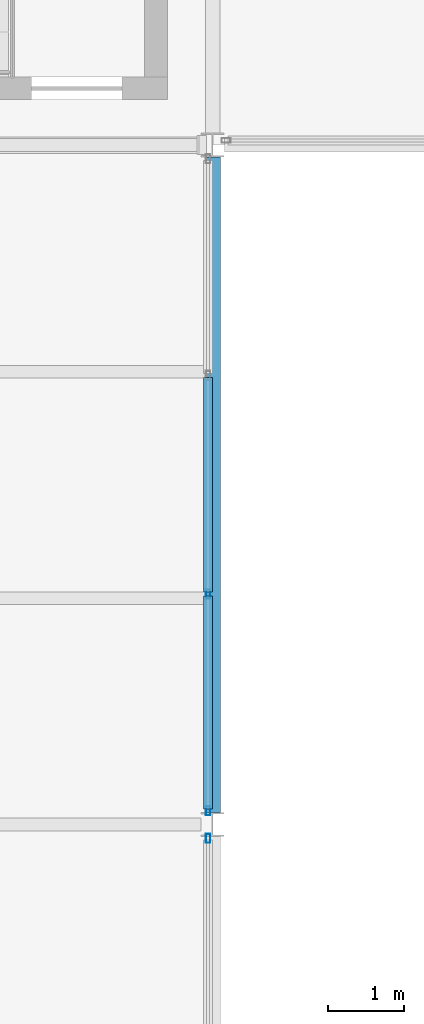
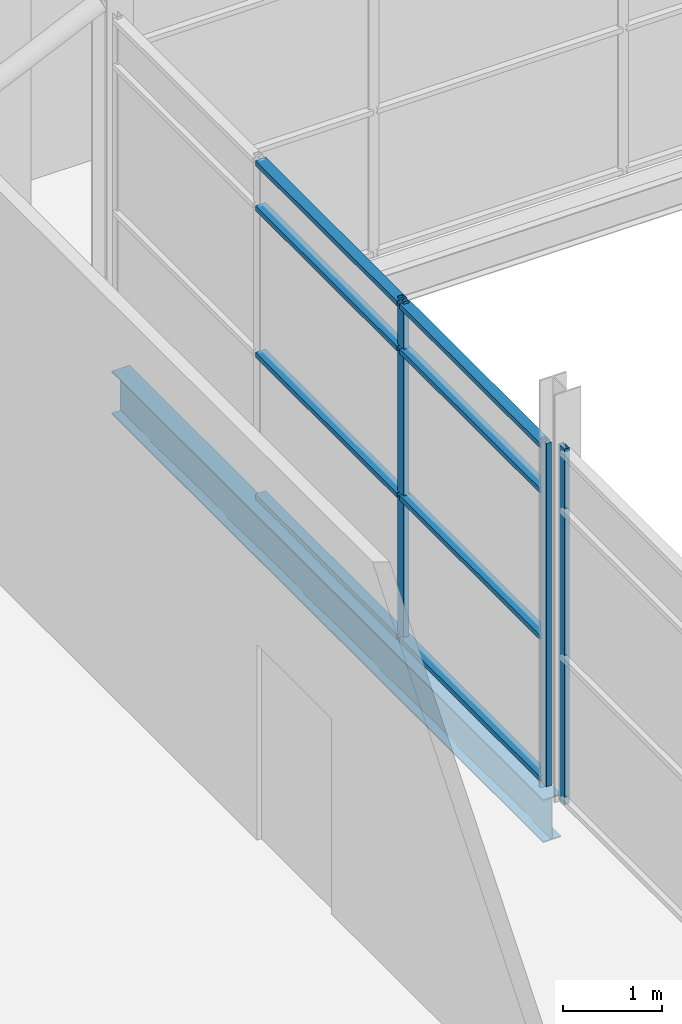
# One storey, part 19 of 61: 11 members, 1 beam, 2 elements without a shape of their own.
"""IFC4 building model written with IfcOpenShell, lengths in metres."""

from ifc_helpers import new_model, si_unit, direction, frame, origin, origin_2d, place, context, subcontext, project, spatial, hollow_rectangle, i_section, extrude, material, layer, layer_set, material_profile, profile_set, type_object, element, aggregate, save


model = new_model("IFC4")

# Units and contexts
model_context = context("Model", 3, precision=1e-05, world=origin(), true_north=direction((0.0, 1.0)))
body_context = subcontext(model_context, "Body", "Model", "MODEL_VIEW")
ifc_project = project(units=[si_unit("LENGTHUNIT", "METRE"), si_unit("AREAUNIT", "SQUARE_METRE"), si_unit("VOLUMEUNIT", "CUBIC_METRE"), si_unit("PLANEANGLEUNIT", "RADIAN"), si_unit("MASSUNIT", "GRAM", prefix="KILO")], contexts=[model_context])

# Site, building, storey
site_placement = place(None, origin())
site = spatial("IfcSite", under=ifc_project, at=site_placement, CompositionType="ELEMENT")
building_placement = place(site_placement, origin())
building = spatial("IfcBuilding", under=site, at=building_placement, Name="Shorebreak Coast Museum", CompositionType="ELEMENT")
storey_placement = place(building_placement, frame((0.0, 0.0, 26.0)))
storey = spatial("IfcBuildingStorey", under=building, at=storey_placement, Name="L04", CompositionType="ELEMENT", Elevation=26.0)

# Beam
ifc_material_1 = material(Name="Steel Grade 300", Category="steel")
ifc_material_profile_1 = material_profile(ifc_material_1, i_section(OverallWidth=0.208984375, OverallDepth=0.5283203125, WebThickness=0.009521484375, FlangeThickness=0.01318359375, FilletRadius=0.013916015625, at=origin_2d()), Name="530UB82.0")
ifc_profile_set_1 = profile_set([ifc_material_profile_1], Name="Steel Grade 300")
beam_type = type_object("IfcBeamType", Name="Floor girder north-south 530UB82.0", PredefinedType="BEAM", material=ifc_profile_set_1)
beam_placement = place(storey_placement, frame((63.0, 72.160400390625, -0.439208984375), z_axis=(0.0, 1.0, 0.0), x_axis=(-1.0, 0.0, 0.0)))
element("IfcBeam", 1, at=beam_placement, inside=storey, type_object=beam_type, Name="Floor girder north-south L04 8J", PredefinedType="BEAM", context=body_context, shape_type="SweptSolid", body=[
    extrude(i_section(OverallWidth=0.208984375, OverallDepth=0.5283203125, WebThickness=0.009521484375, FlangeThickness=0.01318359375, FilletRadius=0.013916015625, at=origin_2d()), origin(), (0.0, 0.0, 1.0), 8.67919921875),
])

# Curtain wall, member
ifc_material_2 = material(Name="Aluminium", Category="aluminium")
ifc_layer = layer(ifc_material_2, 0.1201171875)
ifc_layer_set = layer_set([ifc_layer], Name="Aluminium")
curtain_wall_type = type_object("IfcCurtainWallType", Name="Atrium fire screen", PredefinedType="NOTDEFINED", material=ifc_layer_set)
curtain_wall_1_placement = place(storey_placement, origin())
curtain_wall_1 = element("IfcCurtainWall", 2, at=curtain_wall_1_placement, inside=storey, type_object=curtain_wall_type, Name="Atrium screen L04 W 59", PredefinedType="NOTDEFINED")
ifc_material_3 = material(Name="Aluminium", Category="aluminium")
ifc_material_profile_2 = material_profile(ifc_material_3, hollow_rectangle(XDim=0.06005859375, YDim=0.1201171875, WallThickness=0.00341796875, at=origin_2d()), Name="AL 120x60 RHS")
ifc_profile_set_2 = profile_set([ifc_material_profile_2], Name="Aluminium")
member_type_1 = type_object("IfcMemberType", Name="Screen mullion 50 x 120", PredefinedType="MULLION", material=ifc_profile_set_2)
member_1_placement = place(storey_placement, frame((62.93994140625, 71.817626953125, 0.0), z_axis=(0.0, 0.0, 1.0), x_axis=(-1.0, 0.0, 0.0)))
member_1 = element("IfcMember", 3, at=member_1_placement, type_object=member_type_1, Name="CW6 mullion 4", PredefinedType="MULLION", context=body_context, shape_type="SweptSolid", body=[
    extrude(hollow_rectangle(XDim=0.06005859375, YDim=0.1201171875, WallThickness=0.00341796875, at=origin_2d()), origin(), (0.0, 0.0, 1.0), 4.364501953125),
])
aggregate(curtain_wall_1, [member_1])

# Curtain wall, members
curtain_wall_2_placement = place(storey_placement, origin())
curtain_wall_2 = element("IfcCurtainWall", 4, at=curtain_wall_2_placement, inside=storey, type_object=curtain_wall_type, Name="Atrium screen L04 W 60", PredefinedType="NOTDEFINED")
member_2_placement = place(storey_placement, frame((62.93994140625, 72.182373046875, 0.0), z_axis=(0.0, 0.0, 1.0), x_axis=(-1.0, 0.0, 0.0)))
member_2 = element("IfcMember", 5, at=member_2_placement, type_object=member_type_1, Name="CW4 mullion 1", PredefinedType="MULLION", context=body_context, shape_type="SweptSolid", body=[
    extrude(hollow_rectangle(XDim=0.06005859375, YDim=0.1201171875, WallThickness=0.00341796875, at=origin_2d()), origin(), (0.0, 0.0, 1.0), 4.212890625),
])
member_3_placement = place(storey_placement, frame((62.93994140625, 75.052490234375, 0.0), z_axis=(0.0, 0.0, 1.0), x_axis=(-1.0, 0.0, 0.0)))
member_3 = element("IfcMember", 6, at=member_3_placement, type_object=member_type_1, Name="CW4 mullion 2", PredefinedType="MULLION", context=body_context, shape_type="SweptSolid", body=[
    extrude(hollow_rectangle(XDim=0.06005859375, YDim=0.1201171875, WallThickness=0.00341796875, at=origin_2d()), origin(), (0.0, 0.0, 1.0), 4.212890625),
])
ifc_material_4 = material(Name="Aluminium", Category="aluminium")
ifc_material_profile_3 = material_profile(ifc_material_4, hollow_rectangle(XDim=0.1201171875, YDim=0.06005859375, WallThickness=0.00341796875, at=origin_2d()), Name="AL 60x120 RHS")
ifc_profile_set_3 = profile_set([ifc_material_profile_3], Name="Aluminium")
member_type_2 = type_object("IfcMemberType", Name="Screen transom 120 x 50", PredefinedType="USERDEFINED", material=ifc_profile_set_3)
member_4_placement = place(storey_placement, frame((62.93994140625, 72.207275390625, 0.06005859375), z_axis=(0.0, 1.0, 0.0), x_axis=(-1.0, 0.0, 0.0)))
member_4 = element("IfcMember", 7, at=member_4_placement, type_object=member_type_2, Name="CW4 transom 1.1", ObjectType="TRANSOM", PredefinedType="USERDEFINED", context=body_context, shape_type="SweptSolid", body=[
    extrude(hollow_rectangle(XDim=0.1201171875, YDim=0.06005859375, WallThickness=0.00341796875, at=origin_2d()), origin(), (0.0, 0.0, 1.0), 2.820068359375),
])
member_5_placement = place(storey_placement, frame((62.93994140625, 72.207275390625, 1.800048828125), z_axis=(0.0, 1.0, 0.0), x_axis=(-1.0, 0.0, 0.0)))
member_5 = element("IfcMember", 8, at=member_5_placement, type_object=member_type_2, Name="CW4 transom 1.2", ObjectType="TRANSOM", PredefinedType="USERDEFINED", context=body_context, shape_type="SweptSolid", body=[
    extrude(hollow_rectangle(XDim=0.1201171875, YDim=0.06005859375, WallThickness=0.00341796875, at=origin_2d()), origin(), (0.0, 0.0, 1.0), 2.820068359375),
])
member_6_placement = place(storey_placement, frame((62.93994140625, 72.207275390625, 3.60009765625), z_axis=(0.0, 1.0, 0.0), x_axis=(-1.0, 0.0, 0.0)))
member_6 = element("IfcMember", 9, at=member_6_placement, type_object=member_type_2, Name="CW4 transom 1.3", ObjectType="TRANSOM", PredefinedType="USERDEFINED", context=body_context, shape_type="SweptSolid", body=[
    extrude(hollow_rectangle(XDim=0.1201171875, YDim=0.06005859375, WallThickness=0.00341796875, at=origin_2d()), origin(), (0.0, 0.0, 1.0), 2.820068359375),
])
member_7_placement = place(storey_placement, frame((62.93994140625, 72.207275390625, 4.153076171875), z_axis=(0.0, 1.0, 0.0), x_axis=(-1.0, 0.0, 0.0)))
member_7 = element("IfcMember", 10, at=member_7_placement, type_object=member_type_2, Name="CW4 transom 1.4", ObjectType="TRANSOM", PredefinedType="USERDEFINED", context=body_context, shape_type="SweptSolid", body=[
    extrude(hollow_rectangle(XDim=0.1201171875, YDim=0.06005859375, WallThickness=0.00341796875, at=origin_2d()), origin(), (0.0, 0.0, 1.0), 2.820068359375),
])
member_8_placement = place(storey_placement, frame((62.93994140625, 75.077392578125, 0.06005859375), z_axis=(0.0, 1.0, 0.0), x_axis=(-1.0, 0.0, 0.0)))
member_8 = element("IfcMember", 11, at=member_8_placement, type_object=member_type_2, Name="CW4 transom 2.1", ObjectType="TRANSOM", PredefinedType="USERDEFINED", context=body_context, shape_type="SweptSolid", body=[
    extrude(hollow_rectangle(XDim=0.1201171875, YDim=0.06005859375, WallThickness=0.00341796875, at=origin_2d()), origin(), (0.0, 0.0, 1.0), 2.84521484375),
])
member_9_placement = place(storey_placement, frame((62.93994140625, 75.077392578125, 1.800048828125), z_axis=(0.0, 1.0, 0.0), x_axis=(-1.0, 0.0, 0.0)))
member_9 = element("IfcMember", 12, at=member_9_placement, type_object=member_type_2, Name="CW4 transom 2.2", ObjectType="TRANSOM", PredefinedType="USERDEFINED", context=body_context, shape_type="SweptSolid", body=[
    extrude(hollow_rectangle(XDim=0.1201171875, YDim=0.06005859375, WallThickness=0.00341796875, at=origin_2d()), origin(), (0.0, 0.0, 1.0), 2.84521484375),
])
member_10_placement = place(storey_placement, frame((62.93994140625, 75.077392578125, 3.60009765625), z_axis=(0.0, 1.0, 0.0), x_axis=(-1.0, 0.0, 0.0)))
member_10 = element("IfcMember", 13, at=member_10_placement, type_object=member_type_2, Name="CW4 transom 2.3", ObjectType="TRANSOM", PredefinedType="USERDEFINED", context=body_context, shape_type="SweptSolid", body=[
    extrude(hollow_rectangle(XDim=0.1201171875, YDim=0.06005859375, WallThickness=0.00341796875, at=origin_2d()), origin(), (0.0, 0.0, 1.0), 2.84521484375),
])
member_11_placement = place(storey_placement, frame((62.93994140625, 75.077392578125, 4.153076171875), z_axis=(0.0, 1.0, 0.0), x_axis=(-1.0, 0.0, 0.0)))
member_11 = element("IfcMember", 14, at=member_11_placement, type_object=member_type_2, Name="CW4 transom 2.4", ObjectType="TRANSOM", PredefinedType="USERDEFINED", context=body_context, shape_type="SweptSolid", body=[
    extrude(hollow_rectangle(XDim=0.1201171875, YDim=0.06005859375, WallThickness=0.00341796875, at=origin_2d()), origin(), (0.0, 0.0, 1.0), 2.84521484375),
])
aggregate(curtain_wall_2, [member_2, member_3, member_4, member_5, member_6, member_7, member_8, member_9, member_10, member_11])

save(model, "model.ifc")
